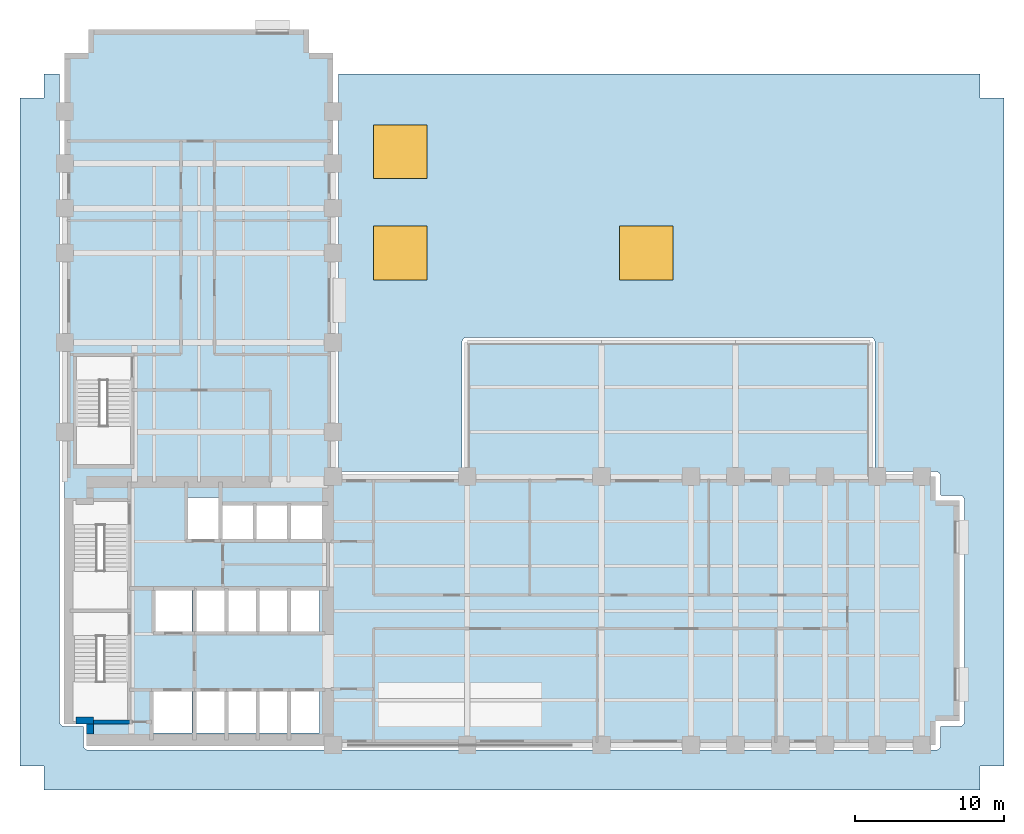
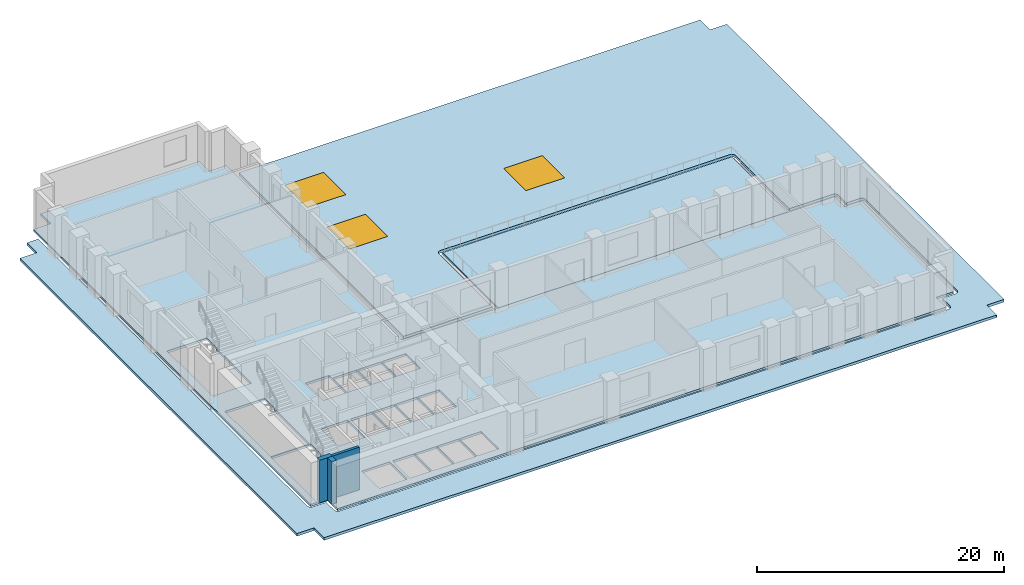
# One storey, part 3 of 9: 3 slabs, 3 walls, 3 windows, 3 openings.
"""IFC4 building model written with IfcOpenShell, lengths in metres."""

from ifc_helpers import new_model, si_unit, direction, frame, frame_2d, origin, origin_2d, place, context, subcontext, project, spatial, polyline, rectangle, outline, extrude, material, layer, layer_set, type_object, element, fill, save


model = new_model("IFC4")

# Units and contexts
model_context = context("Model", 3, precision=1e-05, world=origin(), true_north=direction((0.0, 1.0)))
body_context = subcontext(model_context, "Body", "Model", "MODEL_VIEW")
ifc_project = project(units=[si_unit("LENGTHUNIT", "METRE"), si_unit("AREAUNIT", "SQUARE_METRE"), si_unit("VOLUMEUNIT", "CUBIC_METRE"), si_unit("PLANEANGLEUNIT", "RADIAN"), si_unit("MASSUNIT", "GRAM", prefix="KILO")], contexts=[model_context])

# Site, building, storey
site_placement = place(None, origin())
site = spatial("IfcSite", under=ifc_project, at=site_placement, CompositionType="ELEMENT")
building_placement = place(site_placement, origin())
building = spatial("IfcBuilding", under=site, at=building_placement, Name="Mawjdan Bourse Tower", CompositionType="ELEMENT")
storey_placement = place(building_placement, frame((0.0, 0.0, 21.60009765625)))
storey = spatial("IfcBuildingStorey", under=building, at=storey_placement, Name="L04", CompositionType="ELEMENT", Elevation=21.60009765625)

# Slab, openings, windows
ifc_material_1 = material(Name="Concrete C50/60", Category="concrete")
ifc_layer_1 = layer(ifc_material_1, 0.260009765625)
ifc_layer_set_1 = layer_set([ifc_layer_1], Name="Concrete C50/60")
slab_type_1 = type_object("IfcSlabType", Name="SL-ROOF-260", PredefinedType="ROOF", material=ifc_layer_set_1)
slab_1_placement = place(storey_placement, frame((0.0, 0.0, -0.260009765625)))
slab_1 = element("IfcSlab", 1, at=slab_1_placement, inside=storey, type_object=slab_type_1, Name="L04 Setback Weather Roof 1", PredefinedType="ROOF", context=body_context, shape_type="SweptSolid", body=[
    extrude(outline(polyline([(4.60009765625, 1.599609375), (4.60009765625, 0.02001953125), (4.60009765625, 0.01806640625), (4.600341796875, 0.01611328125), (4.600830078125, 0.01416015625), (4.6015625, 0.01220703125), (4.602294921875, 0.010498046875), (4.603515625, 0.0087890625), (4.6044921875, 0.00732421875), (4.60595703125, 0.005859375), (4.607421875, 0.00439453125), (4.60888671875, 0.00341796875), (4.610595703125, 0.00244140625), (4.6123046875, 0.00146484375), (4.6142578125, 0.0009765625), (4.6162109375, 0.00048828125), (4.617919921875, 0.0), (4.6201171875, 0.0), (67.3798828125, 0.0), (67.382080078125, 0.0), (67.3837890625, 0.00048828125), (67.3857421875, 0.0009765625), (67.3876953125, 0.00146484375), (67.389404296875, 0.00244140625), (67.39111328125, 0.00341796875), (67.392578125, 0.00439453125), (67.39404296875, 0.005859375), (67.3955078125, 0.00732421875), (67.396484375, 0.0087890625), (67.397705078125, 0.010498046875), (67.3984375, 0.01220703125), (67.399169921875, 0.01416015625), (67.399658203125, 0.01611328125), (67.39990234375, 0.01806640625), (67.39990234375, 0.02001953125), (67.39990234375, 1.599609375), (67.39990234375, 1.60009765625), (67.400390625, 1.60009765625), (68.97998046875, 1.60009765625), (68.98193359375, 1.60009765625), (68.98388671875, 1.600341796875), (68.98583984375, 1.600830078125), (68.98779296875, 1.6015625), (68.989501953125, 1.602294921875), (68.9912109375, 1.603515625), (68.99267578125, 1.6044921875), (68.994140625, 1.60595703125), (68.99560546875, 1.607421875), (68.99658203125, 1.60888671875), (68.99755859375, 1.610595703125), (68.99853515625, 1.6123046875), (68.9990234375, 1.6142578125), (68.99951171875, 1.6162109375), (69.0, 1.617919921875), (69.0, 1.6201171875), (69.0, 46.3798828125), (69.0, 46.382080078125), (68.99951171875, 46.3837890625), (68.9990234375, 46.3857421875), (68.99853515625, 46.3876953125), (68.99755859375, 46.389404296875), (68.99658203125, 46.39111328125), (68.99560546875, 46.392578125), (68.994140625, 46.39404296875), (68.99267578125, 46.3955078125), (68.9912109375, 46.396484375), (68.989501953125, 46.397705078125), (68.98779296875, 46.3984375), (68.98583984375, 46.399169921875), (68.98388671875, 46.399658203125), (68.98193359375, 46.39990234375), (68.97998046875, 46.39990234375), (67.400390625, 46.39990234375), (67.39990234375, 46.39990234375), (67.39990234375, 46.400390625), (67.39990234375, 47.97998046875), (67.39990234375, 47.98193359375), (67.399658203125, 47.98388671875), (67.399169921875, 47.98583984375), (67.3984375, 47.98779296875), (67.397705078125, 47.989501953125), (67.396484375, 47.9912109375), (67.3955078125, 47.99267578125), (67.39404296875, 47.994140625), (67.392578125, 47.99560546875), (67.39111328125, 47.99658203125), (67.389404296875, 47.99755859375), (67.3876953125, 47.99853515625), (67.3857421875, 47.9990234375), (67.3837890625, 47.99951171875), (67.382080078125, 48.0), (67.3798828125, 48.0), (24.3701171875, 48.0), (24.367919921875, 48.0), (24.3662109375, 47.99951171875), (24.3642578125, 47.9990234375), (24.3623046875, 47.99853515625), (24.360595703125, 47.99755859375), (24.35888671875, 47.99658203125), (24.357421875, 47.99560546875), (24.35595703125, 47.994140625), (24.3544921875, 47.99267578125), (24.353515625, 47.9912109375), (24.352294921875, 47.989501953125), (24.3515625, 47.98779296875), (24.350830078125, 47.98583984375), (24.350341796875, 47.98388671875), (24.35009765625, 47.98193359375), (24.35009765625, 47.97998046875), (24.35009765625, 21.3701171875), (24.35009765625, 21.367919921875), (24.350341796875, 21.3662109375), (24.350830078125, 21.3642578125), (24.3515625, 21.3623046875), (24.352294921875, 21.360595703125), (24.353515625, 21.35888671875), (24.3544921875, 21.357421875), (24.35595703125, 21.35595703125), (24.357421875, 21.3544921875), (24.35888671875, 21.353515625), (24.360595703125, 21.352294921875), (24.3623046875, 21.3515625), (24.3642578125, 21.350830078125), (24.3662109375, 21.350341796875), (24.367919921875, 21.35009765625), (24.3701171875, 21.35009765625), (32.6298828125, 21.35009765625), (32.632080078125, 21.35009765625), (32.6337890625, 21.350341796875), (32.6357421875, 21.350830078125), (32.6376953125, 21.3515625), (32.639404296875, 21.352294921875), (32.64111328125, 21.353515625), (32.642578125, 21.3544921875), (32.64404296875, 21.35595703125), (32.6455078125, 21.357421875), (32.646484375, 21.35888671875), (32.647705078125, 21.360595703125), (32.6484375, 21.3623046875), (32.649169921875, 21.3642578125), (32.649658203125, 21.3662109375), (32.64990234375, 21.367919921875), (32.64990234375, 21.3701171875), (32.64990234375, 29.999755859375), (32.64990234375, 30.000244140625), (32.651611328125, 30.03369140625), (32.65185546875, 30.034912109375), (32.65673828125, 30.06787109375), (32.65673828125, 30.06884765625), (32.6650390625, 30.10107421875), (32.665283203125, 30.10205078125), (32.676513671875, 30.133544921875), (32.677001953125, 30.134521484375), (32.691162109375, 30.16455078125), (32.691650390625, 30.165283203125), (32.708740234375, 30.194091796875), (32.709228515625, 30.19482421875), (32.729248046875, 30.2216796875), (32.729736328125, 30.222412109375), (32.752197265625, 30.2470703125), (32.7529296875, 30.247802734375), (32.777587890625, 30.270263671875), (32.7783203125, 30.270751953125), (32.80517578125, 30.290771484375), (32.805908203125, 30.291259765625), (32.834716796875, 30.308349609375), (32.83544921875, 30.308837890625), (32.865478515625, 30.322998046875), (32.866455078125, 30.323486328125), (32.89794921875, 30.334716796875), (32.89892578125, 30.3349609375), (32.93115234375, 30.34326171875), (32.93212890625, 30.34326171875), (32.965087890625, 30.34814453125), (32.96630859375, 30.348388671875), (32.999755859375, 30.35009765625), (33.000244140625, 30.35009765625), (59.999755859375, 30.35009765625), (60.000244140625, 30.35009765625), (60.03369140625, 30.348388671875), (60.034912109375, 30.34814453125), (60.06787109375, 30.34326171875), (60.06884765625, 30.34326171875), (60.10107421875, 30.3349609375), (60.10205078125, 30.334716796875), (60.133544921875, 30.323486328125), (60.134521484375, 30.322998046875), (60.16455078125, 30.308837890625), (60.165283203125, 30.308349609375), (60.194091796875, 30.291259765625), (60.19482421875, 30.290771484375), (60.2216796875, 30.270751953125), (60.222412109375, 30.270263671875), (60.2470703125, 30.247802734375), (60.247802734375, 30.2470703125), (60.270263671875, 30.222412109375), (60.270751953125, 30.2216796875), (60.290771484375, 30.19482421875), (60.291259765625, 30.194091796875), (60.308349609375, 30.165283203125), (60.308837890625, 30.16455078125), (60.322998046875, 30.134521484375), (60.323486328125, 30.133544921875), (60.334716796875, 30.10205078125), (60.3349609375, 30.10107421875), (60.34326171875, 30.06884765625), (60.34326171875, 30.06787109375), (60.34814453125, 30.034912109375), (60.348388671875, 30.03369140625), (60.35009765625, 30.000244140625), (60.35009765625, 29.999755859375), (60.35009765625, 21.3701171875), (60.35009765625, 21.367919921875), (60.350341796875, 21.3662109375), (60.350830078125, 21.3642578125), (60.3515625, 21.3623046875), (60.352294921875, 21.360595703125), (60.353515625, 21.35888671875), (60.3544921875, 21.357421875), (60.35595703125, 21.35595703125), (60.357421875, 21.3544921875), (60.35888671875, 21.353515625), (60.360595703125, 21.352294921875), (60.3623046875, 21.3515625), (60.3642578125, 21.350830078125), (60.3662109375, 21.350341796875), (60.367919921875, 21.35009765625), (60.3701171875, 21.35009765625), (64.39990234375, 21.35009765625), (64.400146484375, 21.35009765625), (64.433837890625, 21.348388671875), (64.434814453125, 21.34814453125), (64.4677734375, 21.34326171875), (64.46875, 21.34326171875), (64.501220703125, 21.3349609375), (64.502197265625, 21.334716796875), (64.533447265625, 21.323486328125), (64.534423828125, 21.322998046875), (64.564453125, 21.308837890625), (64.5654296875, 21.308349609375), (64.593994140625, 21.291259765625), (64.5947265625, 21.290771484375), (64.62158203125, 21.270751953125), (64.622314453125, 21.270263671875), (64.647216796875, 21.247802734375), (64.647705078125, 21.2470703125), (64.670166015625, 21.222412109375), (64.6708984375, 21.2216796875), (64.690673828125, 21.19482421875), (64.69140625, 21.194091796875), (64.70849609375, 21.165283203125), (64.708984375, 21.16455078125), (64.72314453125, 21.134521484375), (64.723388671875, 21.133544921875), (64.73486328125, 21.10205078125), (64.735107421875, 21.10107421875), (64.7431640625, 21.06884765625), (64.743408203125, 21.06787109375), (64.748291015625, 21.034912109375), (64.748291015625, 21.03369140625), (64.75, 21.000244140625), (64.75, 20.999755859375), (64.75, 19.77001953125), (64.75, 19.76806640625), (64.75048828125, 19.76611328125), (64.7509765625, 19.76416015625), (64.75146484375, 19.76220703125), (64.75244140625, 19.760498046875), (64.75341796875, 19.7587890625), (64.75439453125, 19.75732421875), (64.755859375, 19.755859375), (64.75732421875, 19.75439453125), (64.7587890625, 19.75341796875), (64.760498046875, 19.75244140625), (64.76220703125, 19.75146484375), (64.76416015625, 19.7509765625), (64.76611328125, 19.75048828125), (64.76806640625, 19.75), (64.77001953125, 19.75), (65.999755859375, 19.75), (66.000244140625, 19.75), (66.03369140625, 19.748291015625), (66.034912109375, 19.748291015625), (66.06787109375, 19.743408203125), (66.06884765625, 19.7431640625), (66.10107421875, 19.735107421875), (66.10205078125, 19.73486328125), (66.133544921875, 19.723388671875), (66.134521484375, 19.72314453125), (66.16455078125, 19.708984375), (66.165283203125, 19.70849609375), (66.194091796875, 19.69140625), (66.19482421875, 19.690673828125), (66.2216796875, 19.6708984375), (66.222412109375, 19.670166015625), (66.2470703125, 19.647705078125), (66.247802734375, 19.647216796875), (66.270263671875, 19.622314453125), (66.270751953125, 19.62158203125), (66.290771484375, 19.5947265625), (66.291259765625, 19.593994140625), (66.308349609375, 19.5654296875), (66.308837890625, 19.564453125), (66.322998046875, 19.534423828125), (66.323486328125, 19.533447265625), (66.334716796875, 19.502197265625), (66.3349609375, 19.501220703125), (66.34326171875, 19.46875), (66.34326171875, 19.4677734375), (66.34814453125, 19.434814453125), (66.348388671875, 19.433837890625), (66.35009765625, 19.400146484375), (66.35009765625, 19.39990234375), (66.35009765625, 4.60009765625), (66.35009765625, 4.599853515625), (66.348388671875, 4.566162109375), (66.34814453125, 4.565185546875), (66.34326171875, 4.5322265625), (66.34326171875, 4.53125), (66.3349609375, 4.498779296875), (66.334716796875, 4.497802734375), (66.323486328125, 4.466552734375), (66.322998046875, 4.465576171875), (66.308837890625, 4.435546875), (66.308349609375, 4.4345703125), (66.291259765625, 4.406005859375), (66.290771484375, 4.4052734375), (66.270751953125, 4.37841796875), (66.270263671875, 4.377685546875), (66.247802734375, 4.352783203125), (66.2470703125, 4.352294921875), (66.222412109375, 4.329833984375), (66.2216796875, 4.3291015625), (66.19482421875, 4.309326171875), (66.194091796875, 4.30859375), (66.165283203125, 4.29150390625), (66.16455078125, 4.291015625), (66.134521484375, 4.27685546875), (66.133544921875, 4.276611328125), (66.10205078125, 4.26513671875), (66.10107421875, 4.264892578125), (66.06884765625, 4.2568359375), (66.06787109375, 4.256591796875), (66.034912109375, 4.251708984375), (66.03369140625, 4.251708984375), (66.000244140625, 4.25), (65.999755859375, 4.25), (64.77001953125, 4.25), (64.76806640625, 4.25), (64.76611328125, 4.24951171875), (64.76416015625, 4.2490234375), (64.76220703125, 4.24853515625), (64.760498046875, 4.24755859375), (64.7587890625, 4.24658203125), (64.75732421875, 4.24560546875), (64.755859375, 4.244140625), (64.75439453125, 4.24267578125), (64.75341796875, 4.2412109375), (64.75244140625, 4.239501953125), (64.75146484375, 4.23779296875), (64.7509765625, 4.23583984375), (64.75048828125, 4.23388671875), (64.75, 4.23193359375), (64.75, 4.22998046875), (64.75, 3.000244140625), (64.75, 2.999755859375), (64.748291015625, 2.96630859375), (64.748291015625, 2.965087890625), (64.743408203125, 2.93212890625), (64.7431640625, 2.93115234375), (64.735107421875, 2.89892578125), (64.73486328125, 2.89794921875), (64.723388671875, 2.866455078125), (64.72314453125, 2.865478515625), (64.708984375, 2.83544921875), (64.70849609375, 2.834716796875), (64.69140625, 2.805908203125), (64.690673828125, 2.80517578125), (64.6708984375, 2.7783203125), (64.670166015625, 2.777587890625), (64.647705078125, 2.7529296875), (64.647216796875, 2.752197265625), (64.622314453125, 2.729736328125), (64.62158203125, 2.729248046875), (64.5947265625, 2.709228515625), (64.593994140625, 2.708740234375), (64.5654296875, 2.691650390625), (64.564453125, 2.691162109375), (64.534423828125, 2.677001953125), (64.533447265625, 2.676513671875), (64.502197265625, 2.665283203125), (64.501220703125, 2.6650390625), (64.46875, 2.65673828125), (64.4677734375, 2.65673828125), (64.434814453125, 2.65185546875), (64.433837890625, 2.651611328125), (64.400146484375, 2.64990234375), (64.39990234375, 2.64990234375), (7.60009765625, 2.64990234375), (7.599853515625, 2.64990234375), (7.566162109375, 2.651611328125), (7.565185546875, 2.65185546875), (7.5322265625, 2.65673828125), (7.53125, 2.65673828125), (7.498779296875, 2.6650390625), (7.497802734375, 2.665283203125), (7.466552734375, 2.676513671875), (7.465576171875, 2.677001953125), (7.435546875, 2.691162109375), (7.4345703125, 2.691650390625), (7.406005859375, 2.708740234375), (7.4052734375, 2.709228515625), (7.37841796875, 2.729248046875), (7.377685546875, 2.729736328125), (7.352783203125, 2.752197265625), (7.352294921875, 2.7529296875), (7.329833984375, 2.777587890625), (7.3291015625, 2.7783203125), (7.309326171875, 2.80517578125), (7.30859375, 2.805908203125), (7.29150390625, 2.834716796875), (7.291015625, 2.83544921875), (7.27685546875, 2.865478515625), (7.276611328125, 2.866455078125), (7.26513671875, 2.89794921875), (7.264892578125, 2.89892578125), (7.2568359375, 2.93115234375), (7.256591796875, 2.93212890625), (7.251708984375, 2.965087890625), (7.251708984375, 2.96630859375), (7.25, 2.999755859375), (7.25, 3.000244140625), (7.25, 4.22998046875), (7.25, 4.23193359375), (7.24951171875, 4.23388671875), (7.2490234375, 4.23583984375), (7.24853515625, 4.23779296875), (7.24755859375, 4.239501953125), (7.24658203125, 4.2412109375), (7.24560546875, 4.24267578125), (7.244140625, 4.244140625), (7.24267578125, 4.24560546875), (7.2412109375, 4.24658203125), (7.239501953125, 4.24755859375), (7.23779296875, 4.24853515625), (7.23583984375, 4.2490234375), (7.23388671875, 4.24951171875), (7.23193359375, 4.25), (7.22998046875, 4.25), (6.000244140625, 4.25), (5.999755859375, 4.25), (5.96630859375, 4.251708984375), (5.965087890625, 4.251708984375), (5.93212890625, 4.256591796875), (5.93115234375, 4.2568359375), (5.89892578125, 4.264892578125), (5.89794921875, 4.26513671875), (5.866455078125, 4.276611328125), (5.865478515625, 4.27685546875), (5.83544921875, 4.291015625), (5.834716796875, 4.29150390625), (5.805908203125, 4.30859375), (5.80517578125, 4.309326171875), (5.7783203125, 4.3291015625), (5.777587890625, 4.329833984375), (5.7529296875, 4.352294921875), (5.752197265625, 4.352783203125), (5.729736328125, 4.377685546875), (5.729248046875, 4.37841796875), (5.709228515625, 4.4052734375), (5.708740234375, 4.406005859375), (5.691650390625, 4.4345703125), (5.691162109375, 4.435546875), (5.677001953125, 4.465576171875), (5.676513671875, 4.466552734375), (5.665283203125, 4.497802734375), (5.6650390625, 4.498779296875), (5.65673828125, 4.53125), (5.65673828125, 4.5322265625), (5.65185546875, 4.565185546875), (5.651611328125, 4.566162109375), (5.64990234375, 4.599853515625), (5.64990234375, 4.60009765625), (5.64990234375, 47.97998046875), (5.64990234375, 47.98193359375), (5.649658203125, 47.98388671875), (5.649169921875, 47.98583984375), (5.6484375, 47.98779296875), (5.647705078125, 47.989501953125), (5.646484375, 47.9912109375), (5.6455078125, 47.99267578125), (5.64404296875, 47.994140625), (5.642578125, 47.99560546875), (5.64111328125, 47.99658203125), (5.639404296875, 47.99755859375), (5.6376953125, 47.99853515625), (5.6357421875, 47.9990234375), (5.6337890625, 47.99951171875), (5.632080078125, 48.0), (5.6298828125, 48.0), (4.6201171875, 48.0), (4.617919921875, 48.0), (4.6162109375, 47.99951171875), (4.6142578125, 47.9990234375), (4.6123046875, 47.99853515625), (4.610595703125, 47.99755859375), (4.60888671875, 47.99658203125), (4.607421875, 47.99560546875), (4.60595703125, 47.994140625), (4.6044921875, 47.99267578125), (4.603515625, 47.9912109375), (4.602294921875, 47.989501953125), (4.6015625, 47.98779296875), (4.600830078125, 47.98583984375), (4.600341796875, 47.98388671875), (4.60009765625, 47.98193359375), (4.60009765625, 47.97998046875), (4.60009765625, 46.400390625), (4.60009765625, 46.39990234375), (4.599609375, 46.39990234375), (3.02001953125, 46.39990234375), (3.01806640625, 46.39990234375), (3.01611328125, 46.399658203125), (3.01416015625, 46.399169921875), (3.01220703125, 46.3984375), (3.010498046875, 46.397705078125), (3.0087890625, 46.396484375), (3.00732421875, 46.3955078125), (3.005859375, 46.39404296875), (3.00439453125, 46.392578125), (3.00341796875, 46.39111328125), (3.00244140625, 46.389404296875), (3.00146484375, 46.3876953125), (3.0009765625, 46.3857421875), (3.00048828125, 46.3837890625), (3.0, 46.382080078125), (3.0, 46.3798828125), (3.0, 1.6201171875), (3.0, 1.617919921875), (3.00048828125, 1.6162109375), (3.0009765625, 1.6142578125), (3.00146484375, 1.6123046875), (3.00244140625, 1.610595703125), (3.00341796875, 1.60888671875), (3.00439453125, 1.607421875), (3.005859375, 1.60595703125), (3.00732421875, 1.6044921875), (3.0087890625, 1.603515625), (3.010498046875, 1.602294921875), (3.01220703125, 1.6015625), (3.01416015625, 1.600830078125), (3.01611328125, 1.600341796875), (3.01806640625, 1.60009765625), (3.02001953125, 1.60009765625), (4.599609375, 1.60009765625), (4.60009765625, 1.60009765625), (4.60009765625, 1.599609375)])), origin(), (0.0, 0.0, 1.0), 0.260009765625),
])
opening_1_placement = place(slab_1_placement, frame((28.5, 36.0, 0.0)))
opening_1 = element("IfcOpeningElement", 2, at=opening_1_placement, cuts=slab_1, Name="Opening SKL-L04-01", PredefinedType="OPENING", context=body_context, shape_type="SweptSolid", body=[
    extrude(rectangle(XDim=3.60009765625, YDim=3.60009765625, at=origin_2d()), frame((0.0, 0.0, -0.010009765625)), (0.0, 0.0, 1.0), 0.280029296875),
])
opening_2_placement = place(slab_1_placement, frame((28.5, 42.800048828125, 0.0)))
opening_2 = element("IfcOpeningElement", 3, at=opening_2_placement, cuts=slab_1, Name="Opening SKL-L04-02", PredefinedType="OPENING", context=body_context, shape_type="SweptSolid", body=[
    extrude(rectangle(XDim=3.60009765625, YDim=3.60009765625, at=origin_2d()), frame((0.0, 0.0, -0.010009765625)), (0.0, 0.0, 1.0), 0.280029296875),
])
opening_3_placement = place(slab_1_placement, frame((45.0, 36.0, 0.0)))
opening_3 = element("IfcOpeningElement", 4, at=opening_3_placement, cuts=slab_1, Name="Opening SKL-L04-03", PredefinedType="OPENING", context=body_context, shape_type="SweptSolid", body=[
    extrude(rectangle(XDim=3.60009765625, YDim=3.60009765625, at=origin_2d()), frame((0.0, 0.0, -0.010009765625)), (0.0, 0.0, 1.0), 0.280029296875),
])
ifc_material_2 = material(Name="Laminated Structural Skylight Glass", Category="glass")
window_type = type_object("IfcWindowType", Name="SKL-ATR-3600", PartitioningType="SINGLE_PANEL", PredefinedType="SKYLIGHT", material=ifc_material_2)
window_1_placement = place(opening_1_placement, frame((0.0, 0.0, 0.2099609375)))
window_1 = element("IfcWindow", 5, at=window_1_placement, inside=storey, type_object=window_type, Name="L04 Atrium Roof Skylight 1", OverallHeight=3.60009765625, OverallWidth=3.60009765625, PartitioningType="SINGLE_PANEL", PredefinedType="SKYLIGHT", context=body_context, shape_type="SweptSolid", body=[
    extrude(rectangle(XDim=3.60009765625, YDim=3.60009765625, at=origin_2d()), origin(), (0.0, 0.0, 1.0), 0.050048828125),
])
fill(opening_1, window_1)
window_2_placement = place(opening_2_placement, frame((0.0, 0.0, 0.2099609375)))
window_2 = element("IfcWindow", 6, at=window_2_placement, inside=storey, type_object=window_type, Name="L04 Atrium Roof Skylight 2", OverallHeight=3.60009765625, OverallWidth=3.60009765625, PartitioningType="SINGLE_PANEL", PredefinedType="SKYLIGHT", context=body_context, shape_type="SweptSolid", body=[
    extrude(rectangle(XDim=3.60009765625, YDim=3.60009765625, at=origin_2d()), origin(), (0.0, 0.0, 1.0), 0.050048828125),
])
fill(opening_2, window_2)
window_3_placement = place(opening_3_placement, frame((0.0, 0.0, 0.2099609375)))
window_3 = element("IfcWindow", 7, at=window_3_placement, inside=storey, type_object=window_type, Name="L04 Atrium Roof Skylight 3", OverallHeight=3.60009765625, OverallWidth=3.60009765625, PartitioningType="SINGLE_PANEL", PredefinedType="SKYLIGHT", context=body_context, shape_type="SweptSolid", body=[
    extrude(rectangle(XDim=3.60009765625, YDim=3.60009765625, at=origin_2d()), origin(), (0.0, 0.0, 1.0), 0.050048828125),
])
fill(opening_3, window_3)

# Slabs
ifc_layer_2 = layer(ifc_material_1, 0.169921875)
ifc_layer_set_2 = layer_set([ifc_layer_2], Name="Concrete C50/60")
slab_type_2 = type_object("IfcSlabType", Name="SL-TER-170", PredefinedType="FLOOR", material=ifc_layer_set_2)
slab_2_placement = place(storey_placement, frame((0.0, 0.0, -0.170166015625)))
element("IfcSlab", 8, at=slab_2_placement, inside=storey, type_object=slab_type_2, Name="L04 Podium Roof Sky Terrace", PredefinedType="FLOOR", context=body_context, shape_type="SweptSolid", body=[
    extrude(outline(polyline([(33.0, 21.0), (60.0, 21.0), (60.0, 30.0), (33.0, 30.0), (33.0, 21.0)])), origin(), (0.0, 0.0, 1.0), 0.170166015625),
])
ifc_layer_3 = layer(ifc_material_1, 0.219970703125)
ifc_layer_set_3 = layer_set([ifc_layer_3], Name="Concrete C50/60")
slab_type_3 = type_object("IfcSlabType", Name="SL-TRD-220", PredefinedType="FLOOR", material=ifc_layer_set_3)
slab_3_placement = place(storey_placement, frame((0.0, 0.0, -0.22021484375)))
element("IfcSlab", 9, at=slab_3_placement, inside=storey, type_object=slab_type_3, Name="L04 Structural Floor Slab 1", PredefinedType="FLOOR", context=body_context, shape_type="SweptSolid", body=[
    extrude(outline(polyline([(7.60009765625, 3.0), (64.39990234375, 3.0), (64.39990234375, 4.60009765625), (66.0, 4.60009765625), (66.0, 19.39990234375), (64.39990234375, 19.39990234375), (64.39990234375, 21.0), (24.0, 21.0), (24.0, 49.39990234375), (22.39990234375, 49.39990234375), (22.39990234375, 51.0), (7.60009765625, 51.0), (7.60009765625, 49.39990234375), (6.0, 49.39990234375), (6.0, 4.60009765625), (7.60009765625, 4.60009765625), (7.60009765625, 3.0)]), holes=[polyline([(11.949951171875, 3.800048828125), (11.949951171875, 6.60009765625), (14.550048828125, 6.60009765625), (14.550048828125, 3.800048828125), (11.949951171875, 3.800048828125)]), polyline([(14.800048828125, 3.800048828125), (14.800048828125, 6.60009765625), (16.800048828125, 6.60009765625), (16.800048828125, 3.800048828125), (14.800048828125, 3.800048828125)]), polyline([(10.260009765625, 11.969970703125), (10.260009765625, 10.31005859375), (10.199951171875, 10.31005859375), (10.199951171875, 4.64990234375), (6.60009765625, 4.64990234375), (6.60009765625, 10.31005859375), (6.5400390625, 10.31005859375), (6.5400390625, 11.969970703125), (10.260009765625, 11.969970703125)]), polyline([(12.050048828125, 13.39990234375), (14.550048828125, 13.39990234375), (14.550048828125, 10.60009765625), (12.050048828125, 10.60009765625), (12.050048828125, 13.39990234375)]), polyline([(6.60009765625, 17.75), (6.5400390625, 17.75), (6.5400390625, 19.409912109375), (10.260009765625, 19.409912109375), (10.260009765625, 17.75), (10.199951171875, 17.75), (10.199951171875, 12.090087890625), (6.60009765625, 12.090087890625), (6.60009765625, 17.75)]), polyline([(14.199951171875, 16.800048828125), (14.199951171875, 19.60009765625), (16.39990234375, 19.60009765625), (16.39990234375, 16.800048828125), (14.199951171875, 16.800048828125)]), polyline([(10.4599609375, 27.4599609375), (10.39990234375, 27.4599609375), (10.39990234375, 21.800048828125), (6.800048828125, 21.800048828125), (6.800048828125, 27.4599609375), (6.739990234375, 27.4599609375), (6.739990234375, 29.1201171875), (10.4599609375, 29.1201171875), (10.4599609375, 27.4599609375)]), polyline([(16.89990234375, 3.800048828125), (16.89990234375, 6.60009765625), (18.89990234375, 6.60009765625), (18.89990234375, 3.800048828125), (16.89990234375, 3.800048828125)]), polyline([(19.0, 3.800048828125), (19.0, 6.60009765625), (21.0, 6.60009765625), (21.0, 3.800048828125), (19.0, 3.800048828125)]), polyline([(21.10009765625, 3.800048828125), (21.10009765625, 6.60009765625), (23.10009765625, 6.60009765625), (23.10009765625, 3.800048828125), (21.10009765625, 3.800048828125)]), polyline([(14.800048828125, 13.39990234375), (16.800048828125, 13.39990234375), (16.800048828125, 10.60009765625), (14.800048828125, 10.60009765625), (14.800048828125, 13.39990234375)]), polyline([(16.89990234375, 13.39990234375), (18.89990234375, 13.39990234375), (18.89990234375, 10.60009765625), (16.89990234375, 10.60009765625), (16.89990234375, 13.39990234375)]), polyline([(19.0, 10.60009765625), (19.0, 13.39990234375), (21.0, 13.39990234375), (21.0, 10.60009765625), (19.0, 10.60009765625)]), polyline([(21.10009765625, 10.60009765625), (21.10009765625, 13.39990234375), (23.10009765625, 13.39990234375), (23.10009765625, 10.60009765625), (21.10009765625, 10.60009765625)]), polyline([(16.5, 16.800048828125), (16.5, 19.14990234375), (18.699951171875, 19.14990234375), (18.699951171875, 16.800048828125), (16.5, 16.800048828125)]), polyline([(18.800048828125, 19.14990234375), (21.0, 19.14990234375), (21.0, 16.800048828125), (18.800048828125, 16.800048828125), (18.800048828125, 19.14990234375)]), polyline([(21.10009765625, 19.14990234375), (23.300048828125, 19.14990234375), (23.300048828125, 16.800048828125), (21.10009765625, 16.800048828125), (21.10009765625, 19.14990234375)])]), origin(), (0.0, 0.0, 1.0), 0.22021484375),
])

# Walls
ifc_material_3 = material(Name="Concrete C60/75", Category="concrete")
ifc_layer_4 = layer(ifc_material_3, 0.449951171875)
ifc_layer_set_4 = layer_set([ifc_layer_4], Name="Concrete C60/75")
wall_type_1 = type_object("IfcWallType", Name="WL-CORE-450", PredefinedType="SHEAR", material=ifc_layer_set_4)
wall_1_placement = place(storey_placement, frame((6.75, 4.64990234375, 0.0), z_axis=(0.0, 0.0, 1.0), x_axis=(1.0, 0.0, 0.0)))
element("IfcWall", 10, at=wall_1_placement, inside=storey, type_object=wall_type_1, Name="L04 Rear Core Shear Wall SW-X", PredefinedType="SHEAR", context=body_context, shape_type="SweptSolid", body=[
    extrude(rectangle(XDim=1.175048828125, YDim=0.449951171875, at=frame_2d((0.58740234375, 0.0))), origin(), (0.0, 0.0, 1.0), 4.199951171875),
])
wall_2_placement = place(storey_placement, frame((7.699951171875, 3.75, 0.0), z_axis=(0.0, 0.0, 1.0), x_axis=(0.0, 1.0, 0.0)))
element("IfcWall", 11, at=wall_2_placement, inside=storey, type_object=wall_type_1, Name="L04 Rear Core Shear Wall SW-Y", PredefinedType="SHEAR", context=body_context, shape_type="SweptSolid", body=[
    extrude(rectangle(XDim=0.675048828125, YDim=0.449951171875, at=frame_2d((0.33740234375, 0.0))), origin(), (0.0, 0.0, 1.0), 4.199951171875),
])
ifc_layer_5 = layer(ifc_material_1, 0.25)
ifc_layer_set_5 = layer_set([ifc_layer_5], Name="Concrete C50/60")
wall_type_2 = type_object("IfcWallType", Name="WL-STRW-250", PredefinedType="SHEAR", material=ifc_layer_set_5)
wall_3_placement = place(storey_placement, frame((7.699951171875, 4.550048828125, 0.0), z_axis=(0.0, 0.0, 1.0), x_axis=(1.0, 0.0, 0.0)))
element("IfcWall", 12, at=wall_3_placement, inside=storey, type_object=wall_type_2, Name="L04 Stairwell ST1 South Shaft Wall", PredefinedType="SHEAR", context=body_context, shape_type="SweptSolid", body=[
    extrude(rectangle(XDim=2.755126953125, YDim=0.25, at=frame_2d((1.37744140625, 0.0))), origin(), (0.0, 0.0, 1.0), 4.199951171875),
])

save(model, "model.ifc")
